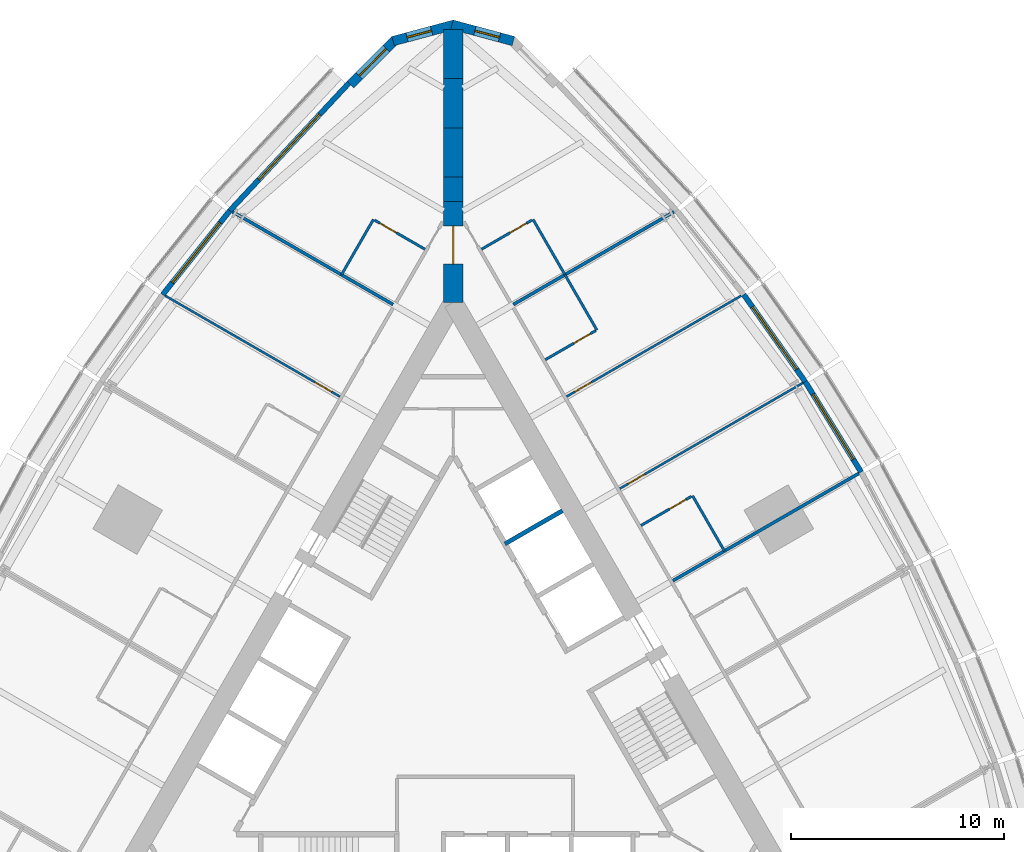
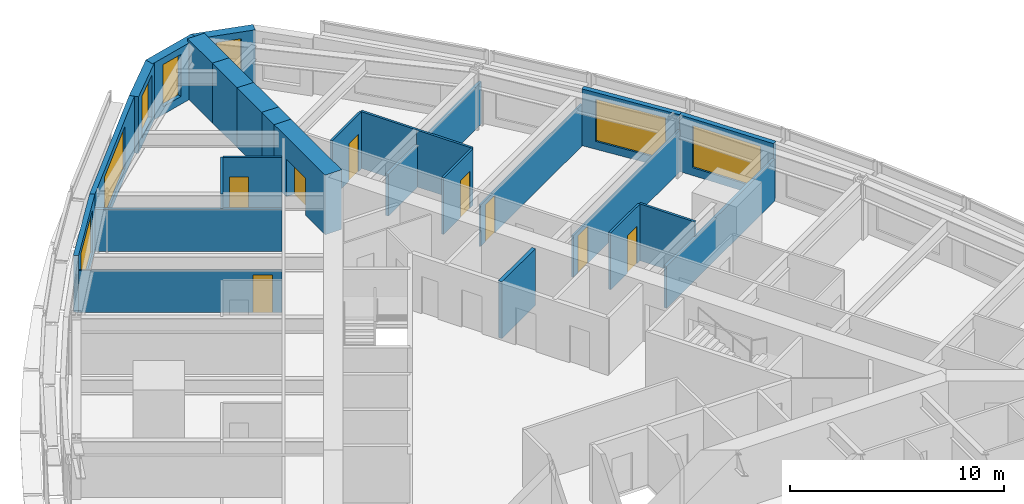
# One storey, part 12 of 14: 27 walls, 8 doors, 7 windows, 15 openings.
"""IFC4 building model written with IfcOpenShell, lengths in metres."""

from ifc_helpers import new_model, si_unit, direction, frame, frame_2d, origin, place, context, subcontext, project, spatial, polyline, rectangle, outline, extrude, material, layer, layer_set, type_object, element, fill, save


model = new_model("IFC4")

# Units and contexts
model_context = context("Model", 3, precision=1e-05, world=origin(), true_north=direction((0.0, 1.0)))
body_context = subcontext(model_context, "Body", "Model", "MODEL_VIEW")
ifc_project = project(units=[si_unit("LENGTHUNIT", "METRE"), si_unit("AREAUNIT", "SQUARE_METRE"), si_unit("VOLUMEUNIT", "CUBIC_METRE"), si_unit("PLANEANGLEUNIT", "RADIAN"), si_unit("MASSUNIT", "GRAM", prefix="KILO")], contexts=[model_context])

# Site, building, storey
site_placement = place(None, origin())
site = spatial("IfcSite", under=ifc_project, at=site_placement, CompositionType="ELEMENT")
building_placement = place(site_placement, origin())
building = spatial("IfcBuilding", under=site, at=building_placement, Name="Trikona Tower", CompositionType="ELEMENT")
storey_placement = place(building_placement, frame((0.0, 0.0, 93.10009765625)))
storey = spatial("IfcBuildingStorey", under=building, at=storey_placement, Name="L24", CompositionType="ELEMENT", Elevation=93.10009765625)

# Wall
ifc_material_1 = material(Name="Metal stud and cement board", Category="gypsum")
ifc_layer_1 = layer(ifc_material_1, 0.1201171875)
ifc_layer_set_1 = layer_set([ifc_layer_1], Name="Bathroom wall 120")
wall_type_1 = type_object("IfcWallType", Name="Bathroom wall 120", PredefinedType="PLUMBINGWALL", material=ifc_layer_set_1)
wall_1_placement = place(storey_placement, frame((12.75341796875, 7.363037109375, 0.0), z_axis=(0.0, 0.0, 1.0), x_axis=(-0.499990139034, 0.866031096941, 0.0)))
element("IfcWall", 1, at=wall_1_placement, inside=storey, type_object=wall_type_1, Name="Bathroom wall 2410.1", PredefinedType="PLUMBINGWALL", context=body_context, shape_type="SweptSolid", body=[
    extrude(rectangle(XDim=3.0, YDim=0.1201171875, at=frame_2d((1.5, 0.0))), origin(), (0.0, 0.0, 1.0), 3.23486328125),
])

# Wall, opening, door
wall_2_placement = place(storey_placement, frame((8.82861328125, 8.561279296875, 0.0), z_axis=(0.0, 0.0, 1.0), x_axis=(0.866035715982, 0.499982138324, 0.0)))
wall_2 = element("IfcWall", 2, at=wall_2_placement, inside=storey, type_object=wall_type_1, Name="Bathroom wall 2410.1", PredefinedType="PLUMBINGWALL", context=body_context, shape_type="SweptSolid", body=[
    extrude(rectangle(XDim=2.73974609375, YDim=0.1201171875, at=frame_2d((1.369873046875, 0.0))), origin(), (0.0, 0.0, 1.0), 3.23486328125),
])
opening_1_placement = place(wall_2_placement, frame((1.550048828125, 0.0, 0.0)))
opening_1 = element("IfcOpeningElement", 3, at=opening_1_placement, cuts=wall_2, Name="Opening D2", PredefinedType="OPENING", context=body_context, shape_type="SweptSolid", body=[
    extrude(rectangle(XDim=0.89990234375, YDim=2.1298828125, at=frame_2d((0.449951171875, 1.06494140625))), frame((0.0, 0.070068359375, 0.0), z_axis=(0.0, -1.0, 0.0), x_axis=(1.0, 0.0, 0.0)), (0.0, 0.0, 1.0), 0.14013671875),
])
ifc_material_2 = material(Name="Steel door frame with solid-core timber leaf", Category="steel")
door_type_1 = type_object("IfcDoorType", Name="Bathroom door 900x2130", OperationType="SLIDING_TO_LEFT", PredefinedType="DOOR", material=ifc_material_2)
door_1_placement = place(opening_1_placement, origin())
door_1 = element("IfcDoor", 4, at=door_1_placement, inside=storey, type_object=door_type_1, Name="Bathroom door 2410.1", OperationType="SLIDING_TO_LEFT", OverallHeight=2.1298828125, OverallWidth=0.89990234375, PredefinedType="DOOR", context=body_context, shape_type="SweptSolid", body=[
    extrude(rectangle(XDim=0.89990234375, YDim=2.1298828125, at=frame_2d((0.449951171875, 1.06494140625))), frame((0.0, 0.02490234375, 0.0), z_axis=(0.0, -1.0, 0.0), x_axis=(1.0, 0.0, 0.0)), (0.0, 0.0, 1.0), 0.050048828125),
])
fill(opening_1, door_1)

# Wall
wall_3_placement = place(storey_placement, frame((6.75341796875, 17.75537109375, 0.0), z_axis=(0.0, 0.0, 1.0), x_axis=(-0.499990139034, 0.866031096941, 0.0)))
element("IfcWall", 5, at=wall_3_placement, inside=storey, type_object=wall_type_1, Name="Bathroom wall 2410.2", PredefinedType="PLUMBINGWALL", context=body_context, shape_type="SweptSolid", body=[
    extrude(rectangle(XDim=3.0, YDim=0.1201171875, at=frame_2d((1.5, 0.0))), origin(), (0.0, 0.0, 1.0), 3.23486328125),
])

# Wall, opening, door
wall_4_placement = place(storey_placement, frame((4.32861328125, 16.35546875, 0.0), z_axis=(0.0, 0.0, 1.0), x_axis=(0.866035715982, 0.499982138324, 0.0)))
wall_4 = element("IfcWall", 6, at=wall_4_placement, inside=storey, type_object=wall_type_1, Name="Bathroom wall 2410.2", PredefinedType="PLUMBINGWALL", context=body_context, shape_type="SweptSolid", body=[
    extrude(rectangle(XDim=2.73974609375, YDim=0.1201171875, at=frame_2d((1.369873046875, 0.0))), origin(), (0.0, 0.0, 1.0), 3.23486328125),
])
opening_2_placement = place(wall_4_placement, frame((1.550048828125, 0.0, 0.0)))
opening_2 = element("IfcOpeningElement", 7, at=opening_2_placement, cuts=wall_4, Name="Opening D2", PredefinedType="OPENING", context=body_context, shape_type="SweptSolid", body=[
    extrude(rectangle(XDim=0.89990234375, YDim=2.1298828125, at=frame_2d((0.449951171875, 1.06494140625))), frame((0.0, 0.070068359375, 0.0), z_axis=(0.0, -1.0, 0.0), x_axis=(1.0, 0.0, 0.0)), (0.0, 0.0, 1.0), 0.14013671875),
])
door_2_placement = place(opening_2_placement, origin())
door_2 = element("IfcDoor", 8, at=door_2_placement, inside=storey, type_object=door_type_1, Name="Bathroom door 2410.2", OperationType="SLIDING_TO_LEFT", OverallHeight=2.1298828125, OverallWidth=0.89990234375, PredefinedType="DOOR", context=body_context, shape_type="SweptSolid", body=[
    extrude(rectangle(XDim=0.89990234375, YDim=2.1298828125, at=frame_2d((0.449951171875, 1.06494140625))), frame((0.0, 0.02490234375, 0.0), z_axis=(0.0, -1.0, 0.0), x_axis=(1.0, 0.0, 0.0)), (0.0, 0.0, 1.0), 0.050048828125),
])
fill(opening_2, door_2)

# Wall
wall_5_placement = place(storey_placement, frame((5.25341796875, 20.353515625, 0.0), z_axis=(0.0, 0.0, 1.0), x_axis=(-0.499990139034, 0.866031096941, 0.0)))
element("IfcWall", 9, at=wall_5_placement, inside=storey, type_object=wall_type_1, Name="Bathroom wall 2411", PredefinedType="PLUMBINGWALL", context=body_context, shape_type="SweptSolid", body=[
    extrude(rectangle(XDim=3.0, YDim=0.1201171875, at=frame_2d((1.5, 0.0))), origin(), (0.0, 0.0, 1.0), 3.23486328125),
])

# Wall, opening, door
wall_6_placement = place(storey_placement, frame((1.32861328125, 21.551513671875, 0.0), z_axis=(0.0, 0.0, 1.0), x_axis=(0.865997131366, 0.500048966069, 0.0)))
wall_6 = element("IfcWall", 10, at=wall_6_placement, inside=storey, type_object=wall_type_1, Name="Bathroom wall 2411", PredefinedType="PLUMBINGWALL", context=body_context, shape_type="SweptSolid", body=[
    extrude(rectangle(XDim=2.739990234375, YDim=0.1201171875, at=frame_2d((1.3701171875, 0.0))), origin(), (0.0, 0.0, 1.0), 3.23486328125),
])
opening_3_placement = place(wall_6_placement, frame((1.550048828125, 0.0, 0.0)))
opening_3 = element("IfcOpeningElement", 11, at=opening_3_placement, cuts=wall_6, Name="Opening D2", PredefinedType="OPENING", context=body_context, shape_type="SweptSolid", body=[
    extrude(rectangle(XDim=0.89990234375, YDim=2.1298828125, at=frame_2d((0.449951171875, 1.06494140625))), frame((0.0, 0.070068359375, 0.0), z_axis=(0.0, -1.0, 0.0), x_axis=(1.0, 0.0, 0.0)), (0.0, 0.0, 1.0), 0.14013671875),
])
door_3_placement = place(opening_3_placement, origin())
door_3 = element("IfcDoor", 12, at=door_3_placement, inside=storey, type_object=door_type_1, Name="Bathroom door 2411", OperationType="SLIDING_TO_LEFT", OverallHeight=2.1298828125, OverallWidth=0.89990234375, PredefinedType="DOOR", context=body_context, shape_type="SweptSolid", body=[
    extrude(rectangle(XDim=0.89990234375, YDim=2.1298828125, at=frame_2d((0.449951171875, 1.06494140625))), frame((0.0, 0.02490234375, 0.0), z_axis=(0.0, -1.0, 0.0), x_axis=(1.0, 0.0, 0.0)), (0.0, 0.0, 1.0), 0.050048828125),
])
fill(opening_3, door_3)

# Wall
wall_7_placement = place(storey_placement, frame((-3.75341796875, 22.95166015625, 0.0), z_axis=(0.0, 0.0, 1.0), x_axis=(-0.499990139034, -0.866031096941, 0.0)))
element("IfcWall", 13, at=wall_7_placement, inside=storey, type_object=wall_type_1, Name="Bathroom wall 2412", PredefinedType="PLUMBINGWALL", context=body_context, shape_type="SweptSolid", body=[
    extrude(rectangle(XDim=3.0, YDim=0.1201171875, at=frame_2d((1.5, 0.0))), origin(), (0.0, 0.0, 1.0), 3.23486328125),
])

# Wall, opening, door
wall_8_placement = place(storey_placement, frame((-1.32861328125, 21.551513671875, 0.0), z_axis=(0.0, 0.0, 1.0), x_axis=(-0.865997131366, 0.500048966069, 0.0)))
wall_8 = element("IfcWall", 14, at=wall_8_placement, inside=storey, type_object=wall_type_1, Name="Bathroom wall 2412", PredefinedType="PLUMBINGWALL", context=body_context, shape_type="SweptSolid", body=[
    extrude(rectangle(XDim=2.739990234375, YDim=0.1201171875, at=frame_2d((1.3701171875, 0.0))), origin(), (0.0, 0.0, 1.0), 3.23486328125),
])
opening_4_placement = place(wall_8_placement, frame((1.550048828125, 0.0, 0.0)))
opening_4 = element("IfcOpeningElement", 15, at=opening_4_placement, cuts=wall_8, Name="Opening D2", PredefinedType="OPENING", context=body_context, shape_type="SweptSolid", body=[
    extrude(rectangle(XDim=0.89990234375, YDim=2.1298828125, at=frame_2d((0.449951171875, 1.06494140625))), frame((0.0, 0.070068359375, 0.0), z_axis=(0.0, -1.0, 0.0), x_axis=(1.0, 0.0, 0.0)), (0.0, 0.0, 1.0), 0.14013671875),
])
door_4_placement = place(opening_4_placement, origin())
door_4 = element("IfcDoor", 16, at=door_4_placement, inside=storey, type_object=door_type_1, Name="Bathroom door 2412", OperationType="SLIDING_TO_LEFT", OverallHeight=2.1298828125, OverallWidth=0.89990234375, PredefinedType="DOOR", context=body_context, shape_type="SweptSolid", body=[
    extrude(rectangle(XDim=0.89990234375, YDim=2.1298828125, at=frame_2d((0.449951171875, 1.06494140625))), frame((0.0, 0.02490234375, 0.0), z_axis=(0.0, -1.0, 0.0), x_axis=(1.0, 0.0, 0.0)), (0.0, 0.0, 1.0), 0.050048828125),
])
fill(opening_4, door_4)

# Wall, opening, window
ifc_material_3 = material(Name="Brick-faced precast concrete", Category="masonry")
ifc_layer_2 = layer(ifc_material_3, 0.449951171875)
ifc_layer_set_2 = layer_set([ifc_layer_2], Name="Brick-faced corner wall 450")
wall_type_2 = type_object("IfcWallType", Name="Brick-faced corner wall 450", PredefinedType="SOLIDWALL", material=ifc_layer_set_2)
wall_9_placement = place(storey_placement, frame((2.82861328125, 31.3408203125, 0.0), z_axis=(0.0, 0.0, 1.0), x_axis=(-0.965930548995, 0.258801419081, 0.0)))
wall_9 = element("IfcWall", 17, at=wall_9_placement, inside=storey, type_object=wall_type_2, Name="External wall L24-21", PredefinedType="SOLIDWALL", context=body_context, shape_type="SweptSolid", body=[
    extrude(outline(polyline([(2.988525390625, 0.22509765625), (2.92919921875, 0.22509765625), (2.4375, 0.09326171875), (2.40234375, 0.22509765625), (0.0, 0.22509765625), (0.0, -0.22509765625), (2.988525390625, -0.22509765625), (2.988525390625, 0.22509765625)])), origin(), (0.0, 0.0, 1.0), 3.23486328125),
])
opening_5_placement = place(wall_9_placement, frame((0.676025390625, 0.0, 0.449951171875)))
opening_5 = element("IfcOpeningElement", 18, at=opening_5_placement, cuts=wall_9, Name="Opening W1224", PredefinedType="OPENING", context=body_context, shape_type="SweptSolid", body=[
    extrude(rectangle(XDim=1.199951171875, YDim=2.39990234375, at=frame_2d((0.60009765625, 1.199951171875))), frame((0.0, 0.23486328125, 0.0), z_axis=(0.0, -1.0, 0.0), x_axis=(1.0, 0.0, 0.0)), (0.0, 0.0, 1.0), 0.469970703125),
])
ifc_material_4 = material(Name="Aluminium-framed double glazing", Category="aluminium")
window_type_1 = type_object("IfcWindowType", Name="Window 1200x2400", PartitioningType="SINGLE_PANEL", PredefinedType="WINDOW", material=ifc_material_4)
window_1_placement = place(opening_5_placement, origin())
window_1 = element("IfcWindow", 19, at=window_1_placement, inside=storey, type_object=window_type_1, Name="Window 2411", OverallHeight=2.39990234375, OverallWidth=1.199951171875, PartitioningType="SINGLE_PANEL", PredefinedType="WINDOW", context=body_context, shape_type="SweptSolid", body=[
    extrude(rectangle(XDim=1.199951171875, YDim=2.39990234375, at=frame_2d((0.60009765625, 1.199951171875))), frame((0.0, 0.030029296875, 0.0), z_axis=(0.0, -1.0, 0.0), x_axis=(1.0, 0.0, 0.0)), (0.0, 0.0, 1.0), 0.06005859375),
])
fill(opening_5, window_1)

wall_10_placement = place(storey_placement, frame((0.05810546875, 32.1142578125, 0.0), z_axis=(0.0, 0.0, 1.0), x_axis=(-0.965930548995, -0.258801419081, 0.0)))
wall_10 = element("IfcWall", 20, at=wall_10_placement, inside=storey, type_object=wall_type_2, Name="External wall L24-22", PredefinedType="SOLIDWALL", context=body_context, shape_type="SweptSolid", body=[
    extrude(outline(polyline([(2.988525390625, 0.22509765625), (0.58642578125, 0.22509765625), (0.551025390625, 0.09326171875), (0.059326171875, 0.22509765625), (0.0, 0.22509765625), (0.0, -0.22509765625), (2.988525390625, -0.22509765625), (2.988525390625, 0.22509765625)])), origin(), (0.0, 0.0, 1.0), 3.23486328125),
])
opening_6_placement = place(wall_10_placement, frame((1.112548828125, 0.0, 0.449951171875)))
opening_6 = element("IfcOpeningElement", 21, at=opening_6_placement, cuts=wall_10, Name="Opening W1224", PredefinedType="OPENING", context=body_context, shape_type="SweptSolid", body=[
    extrude(rectangle(XDim=1.199951171875, YDim=2.39990234375, at=frame_2d((0.60009765625, 1.199951171875))), frame((0.0, 0.23486328125, 0.0), z_axis=(0.0, -1.0, 0.0), x_axis=(1.0, 0.0, 0.0)), (0.0, 0.0, 1.0), 0.469970703125),
])
window_2_placement = place(opening_6_placement, origin())
window_2 = element("IfcWindow", 22, at=window_2_placement, inside=storey, type_object=window_type_1, Name="Window 2412", OverallHeight=2.39990234375, OverallWidth=1.199951171875, PartitioningType="SINGLE_PANEL", PredefinedType="WINDOW", context=body_context, shape_type="SweptSolid", body=[
    extrude(rectangle(XDim=1.199951171875, YDim=2.39990234375, at=frame_2d((0.60009765625, 1.199951171875))), frame((0.0, 0.030029296875, 0.0), z_axis=(0.0, -1.0, 0.0), x_axis=(1.0, 0.0, 0.0)), (0.0, 0.0, 1.0), 0.06005859375),
])
fill(opening_6, window_2)

wall_11_placement = place(storey_placement, frame((-2.727783203125, 31.39892578125, 0.0), z_axis=(0.0, 0.0, 1.0), x_axis=(-0.707106781187, -0.707106781187, 0.0)))
wall_11 = element("IfcWall", 23, at=wall_11_placement, inside=storey, type_object=wall_type_2, Name="External wall L24-23", PredefinedType="SOLIDWALL", context=body_context, shape_type="SweptSolid", body=[
    extrude(rectangle(XDim=2.98828125, YDim=0.449951171875, at=frame_2d((1.494140625, 0.0))), origin(), (0.0, 0.0, 1.0), 3.23486328125),
])
opening_7_placement = place(wall_11_placement, frame((0.59423828125, 0.0, 0.449951171875)))
opening_7 = element("IfcOpeningElement", 24, at=opening_7_placement, cuts=wall_11, Name="Opening W1824", PredefinedType="OPENING", context=body_context, shape_type="SweptSolid", body=[
    extrude(rectangle(XDim=1.800048828125, YDim=2.39990234375, at=frame_2d((0.89990234375, 1.199951171875))), frame((0.0, 0.23486328125, 0.0), z_axis=(0.0, -1.0, 0.0), x_axis=(1.0, 0.0, 0.0)), (0.0, 0.0, 1.0), 0.469970703125),
])
ifc_material_5 = material(Name="Aluminium-framed double glazing", Category="aluminium")
window_type_2 = type_object("IfcWindowType", Name="Window 1800x2400", PartitioningType="SINGLE_PANEL", PredefinedType="WINDOW", material=ifc_material_5)
window_3_placement = place(opening_7_placement, origin())
window_3 = element("IfcWindow", 25, at=window_3_placement, inside=storey, type_object=window_type_2, Name="Window 2412", OverallHeight=2.39990234375, OverallWidth=1.800048828125, PartitioningType="SINGLE_PANEL", PredefinedType="WINDOW", context=body_context, shape_type="SweptSolid", body=[
    extrude(rectangle(XDim=1.800048828125, YDim=2.39990234375, at=frame_2d((0.89990234375, 1.199951171875))), frame((0.0, 0.030029296875, 0.0), z_axis=(0.0, -1.0, 0.0), x_axis=(1.0, 0.0, 0.0)), (0.0, 0.0, 1.0), 0.06005859375),
])
fill(opening_7, window_3)

# Wall, opening, door
ifc_material_6 = material(Name="Concrete f'c 10000 psi", Category="concrete")
ifc_layer_3 = layer(ifc_material_6, 0.89990234375)
ifc_layer_set_3 = layer_set([ifc_layer_3], Name="Buttress wall 900")
wall_type_3 = type_object("IfcWallType", Name="Buttress wall 900", PredefinedType="SHEAR", material=ifc_layer_set_3)
wall_12_placement = place(storey_placement, frame((0.0, 19.052490234375, 0.0), z_axis=(0.0, 0.0, 1.0), x_axis=(0.0, 1.0, 0.0)))
wall_12 = element("IfcWall", 26, at=wall_12_placement, inside=storey, type_object=wall_type_3, Name="Buttress wall 2", PredefinedType="SHEAR", context=body_context, shape_type="SweptSolid", body=[
    extrude(rectangle(XDim=4.74609375, YDim=0.89990234375, at=frame_2d((2.373046875, 0.0))), origin(), (0.0, 0.0, 1.0), 3.39990234375),
])
opening_8_placement = place(wall_12_placement, frame((1.800048828125, 0.0, 0.0)))
opening_8 = element("IfcOpeningElement", 27, at=opening_8_placement, cuts=wall_12, Name="Opening D10", PredefinedType="OPENING", context=body_context, shape_type="SweptSolid", body=[
    extrude(rectangle(XDim=1.800048828125, YDim=2.1298828125, at=frame_2d((0.89990234375, 1.06494140625))), frame((0.0, 0.4599609375, 0.0), z_axis=(0.0, -1.0, 0.0), x_axis=(1.0, 0.0, 0.0)), (0.0, 0.0, 1.0), 0.919921875),
])
ifc_material_7 = material(Name="Hollow metal door and frame", Category="steel")
door_type_2 = type_object("IfcDoorType", Name="Cross-corridor door pair 1800x2130", OperationType="DOUBLE_DOOR_DOUBLE_SWING", PredefinedType="DOOR", material=ifc_material_7)
door_5_placement = place(opening_8_placement, origin())
door_5 = element("IfcDoor", 28, at=door_5_placement, inside=storey, type_object=door_type_2, Name="Cross-corridor door 2", OperationType="DOUBLE_DOOR_DOUBLE_SWING", OverallHeight=2.1298828125, OverallWidth=1.800048828125, PredefinedType="DOOR", context=body_context, shape_type="SweptSolid", body=[
    extrude(rectangle(XDim=1.800048828125, YDim=2.1298828125, at=frame_2d((0.89990234375, 1.06494140625))), frame((0.0, 0.02490234375, 0.0), z_axis=(0.0, -1.0, 0.0), x_axis=(1.0, 0.0, 0.0)), (0.0, 0.0, 1.0), 0.050048828125),
])
fill(opening_8, door_5)

# Walls
wall_13_placement = place(storey_placement, frame((0.0, 23.798583984375, 0.0), z_axis=(0.0, 0.0, 1.0), x_axis=(0.0, 1.0, 0.0)))
element("IfcWall", 29, at=wall_13_placement, inside=storey, type_object=wall_type_3, Name="Buttress wall 2 part 2", PredefinedType="SHEAR", context=body_context, shape_type="SweptSolid", body=[
    extrude(rectangle(XDim=1.15478515625, YDim=0.89990234375, at=frame_2d((0.577392578125, 0.0))), origin(), (0.0, 0.0, 1.0), 3.39990234375),
])
wall_14_placement = place(storey_placement, frame((0.0, 24.953369140625, 0.0), z_axis=(0.0, 0.0, 1.0), x_axis=(0.0, 1.0, 0.0)))
element("IfcWall", 30, at=wall_14_placement, inside=storey, type_object=wall_type_3, Name="Buttress wall 2 part 3", PredefinedType="SHEAR", context=body_context, shape_type="SweptSolid", body=[
    extrude(rectangle(XDim=2.309326171875, YDim=0.89990234375, at=frame_2d((1.15478515625, 0.0))), origin(), (0.0, 0.0, 1.0), 3.39990234375),
])
wall_15_placement = place(storey_placement, frame((0.0, 27.2626953125, 0.0), z_axis=(0.0, 0.0, 1.0), x_axis=(0.0, 1.0, 0.0)))
element("IfcWall", 31, at=wall_15_placement, inside=storey, type_object=wall_type_3, Name="Buttress wall 2 part 4", PredefinedType="SHEAR", context=body_context, shape_type="SweptSolid", body=[
    extrude(rectangle(XDim=2.3095703125, YDim=0.89990234375, at=frame_2d((1.15478515625, 0.0))), origin(), (0.0, 0.0, 1.0), 3.39990234375),
])
wall_16_placement = place(storey_placement, frame((0.0, 29.572265625, 0.0), z_axis=(0.0, 0.0, 1.0), x_axis=(0.0, 1.0, 0.0)))
element("IfcWall", 32, at=wall_16_placement, inside=storey, type_object=wall_type_3, Name="Buttress wall 2 part 5", PredefinedType="SHEAR", context=body_context, shape_type="SweptSolid", body=[
    extrude(rectangle(XDim=2.309326171875, YDim=0.89990234375, at=frame_2d((1.15478515625, 0.0))), origin(), (0.0, 0.0, 1.0), 3.39990234375),
])

# Wall, opening, window
ifc_material_8 = material(Name="Insulated precast concrete spandrel panel", Category="concrete")
ifc_layer_4 = layer(ifc_material_8, 0.25)
ifc_layer_set_4 = layer_set([ifc_layer_4], Name="Inner skin wall 250")
wall_type_4 = type_object("IfcWallType", Name="Inner skin wall 250", PredefinedType="STANDARD", material=ifc_layer_set_4)
wall_17_placement = place(storey_placement, frame((19.182373046875, 11.070556640625, 0.0), z_axis=(0.0, 0.0, 1.0), x_axis=(-0.526132807704, 0.850402415717, 0.0)))
wall_17 = element("IfcWall", 33, at=wall_17_placement, inside=storey, type_object=wall_type_4, Name="External wall L24-16", PredefinedType="STANDARD", context=body_context, shape_type="SweptSolid", body=[
    extrude(rectangle(XDim=5.002197265625, YDim=0.25, at=frame_2d((2.5009765625, 0.0))), origin(), (0.0, 0.0, 1.0), 3.23486328125),
])
opening_9_placement = place(wall_17_placement, frame((0.701171875, 0.0, 0.449951171875)))
opening_9 = element("IfcOpeningElement", 34, at=opening_9_placement, cuts=wall_17, Name="Opening W3624", PredefinedType="OPENING", context=body_context, shape_type="SweptSolid", body=[
    extrude(rectangle(XDim=3.60009765625, YDim=2.39990234375, at=frame_2d((1.800048828125, 1.199951171875))), frame((0.0, 0.135009765625, 0.0), z_axis=(0.0, -1.0, 0.0), x_axis=(1.0, 0.0, 0.0)), (0.0, 0.0, 1.0), 0.27001953125),
])
ifc_material_9 = material(Name="Aluminium-framed double glazing", Category="aluminium")
window_type_3 = type_object("IfcWindowType", Name="Window 3600x2400", PartitioningType="SINGLE_PANEL", PredefinedType="WINDOW", material=ifc_material_9)
window_4_placement = place(opening_9_placement, origin())
window_4 = element("IfcWindow", 35, at=window_4_placement, inside=storey, type_object=window_type_3, Name="Window 2410.1", OverallHeight=2.39990234375, OverallWidth=3.60009765625, PartitioningType="SINGLE_PANEL", PredefinedType="WINDOW", context=body_context, shape_type="SweptSolid", body=[
    extrude(rectangle(XDim=3.60009765625, YDim=2.39990234375, at=frame_2d((1.800048828125, 1.199951171875))), frame((0.0, 0.030029296875, 0.0), z_axis=(0.0, -1.0, 0.0), x_axis=(1.0, 0.0, 0.0)), (0.0, 0.0, 1.0), 0.06005859375),
])
fill(opening_9, window_4)

wall_18_placement = place(storey_placement, frame((16.5546875, 15.318115234375, 0.0), z_axis=(0.0, 0.0, 1.0), x_axis=(-0.5766431066, 0.81699616132, 0.0)))
wall_18 = element("IfcWall", 36, at=wall_18_placement, inside=storey, type_object=wall_type_4, Name="External wall L24-17", PredefinedType="STANDARD", context=body_context, shape_type="SweptSolid", body=[
    extrude(rectangle(XDim=5.02099609375, YDim=0.25, at=frame_2d((2.510498046875, 0.0))), origin(), (0.0, 0.0, 1.0), 3.23486328125),
])
opening_10_placement = place(wall_18_placement, frame((0.71044921875, 0.0, 0.449951171875)))
opening_10 = element("IfcOpeningElement", 37, at=opening_10_placement, cuts=wall_18, Name="Opening W3624", PredefinedType="OPENING", context=body_context, shape_type="SweptSolid", body=[
    extrude(rectangle(XDim=3.60009765625, YDim=2.39990234375, at=frame_2d((1.800048828125, 1.199951171875))), frame((0.0, 0.135009765625, 0.0), z_axis=(0.0, -1.0, 0.0), x_axis=(1.0, 0.0, 0.0)), (0.0, 0.0, 1.0), 0.27001953125),
])
window_5_placement = place(opening_10_placement, origin())
window_5 = element("IfcWindow", 38, at=window_5_placement, inside=storey, type_object=window_type_3, Name="Window 2410", OverallHeight=2.39990234375, OverallWidth=3.60009765625, PartitioningType="SINGLE_PANEL", PredefinedType="WINDOW", context=body_context, shape_type="SweptSolid", body=[
    extrude(rectangle(XDim=3.60009765625, YDim=2.39990234375, at=frame_2d((1.800048828125, 1.199951171875))), frame((0.0, 0.030029296875, 0.0), z_axis=(0.0, -1.0, 0.0), x_axis=(1.0, 0.0, 0.0)), (0.0, 0.0, 1.0), 0.06005859375),
])
fill(opening_10, window_5)

wall_19_placement = place(storey_placement, frame((-4.90869140625, 29.359619140625, 0.0), z_axis=(0.0, 0.0, 1.0), x_axis=(-0.682289646561, -0.731081964075, 0.0)))
wall_19 = element("IfcWall", 39, at=wall_19_placement, inside=storey, type_object=wall_type_4, Name="External wall L24-24", PredefinedType="STANDARD", context=body_context, shape_type="SweptSolid", body=[
    extrude(rectangle(XDim=8.2109375, YDim=0.25, at=frame_2d((4.10546875, 0.0))), origin(), (0.0, 0.0, 1.0), 3.23486328125),
])
opening_11_placement = place(wall_19_placement, frame((2.005615234375, 0.0, 0.449951171875)))
opening_11 = element("IfcOpeningElement", 40, at=opening_11_placement, cuts=wall_19, Name="Opening W4224", PredefinedType="OPENING", context=body_context, shape_type="SweptSolid", body=[
    extrude(rectangle(XDim=4.199951171875, YDim=2.39990234375, at=frame_2d((2.10009765625, 1.199951171875))), frame((0.0, 0.135009765625, 0.0), z_axis=(0.0, -1.0, 0.0), x_axis=(1.0, 0.0, 0.0)), (0.0, 0.0, 1.0), 0.27001953125),
])
ifc_material_10 = material(Name="Aluminium-framed double glazing", Category="aluminium")
window_type_4 = type_object("IfcWindowType", Name="Window 4200x2400", PartitioningType="SINGLE_PANEL", PredefinedType="WINDOW", material=ifc_material_10)
window_6_placement = place(opening_11_placement, origin())
window_6 = element("IfcWindow", 41, at=window_6_placement, inside=storey, type_object=window_type_4, Name="Window 2412", OverallHeight=2.39990234375, OverallWidth=4.199951171875, PartitioningType="SINGLE_PANEL", PredefinedType="WINDOW", context=body_context, shape_type="SweptSolid", body=[
    extrude(rectangle(XDim=4.199951171875, YDim=2.39990234375, at=frame_2d((2.10009765625, 1.199951171875))), frame((0.0, 0.030029296875, 0.0), z_axis=(0.0, -1.0, 0.0), x_axis=(1.0, 0.0, 0.0)), (0.0, 0.0, 1.0), 0.06005859375),
])
fill(opening_11, window_6)

wall_20_placement = place(storey_placement, frame((-10.5048828125, 23.36376953125, 0.0), z_axis=(0.0, 0.0, 1.0), x_axis=(-0.624594965756, -0.780948864364, 0.0)))
wall_20 = element("IfcWall", 42, at=wall_20_placement, inside=storey, type_object=wall_type_4, Name="External wall L24-25", PredefinedType="STANDARD", context=body_context, shape_type="SweptSolid", body=[
    extrude(rectangle(XDim=5.0576171875, YDim=0.25, at=frame_2d((2.52880859375, 0.0))), origin(), (0.0, 0.0, 1.0), 3.23486328125),
])
opening_12_placement = place(wall_20_placement, frame((0.728759765625, 0.0, 0.449951171875)))
opening_12 = element("IfcOpeningElement", 43, at=opening_12_placement, cuts=wall_20, Name="Opening W3624", PredefinedType="OPENING", context=body_context, shape_type="SweptSolid", body=[
    extrude(rectangle(XDim=3.60009765625, YDim=2.39990234375, at=frame_2d((1.800048828125, 1.199951171875))), frame((0.0, 0.135009765625, 0.0), z_axis=(0.0, -1.0, 0.0), x_axis=(1.0, 0.0, 0.0)), (0.0, 0.0, 1.0), 0.27001953125),
])
window_7_placement = place(opening_12_placement, origin())
window_7 = element("IfcWindow", 44, at=window_7_placement, inside=storey, type_object=window_type_3, Name="Window 2413", OverallHeight=2.39990234375, OverallWidth=3.60009765625, PartitioningType="SINGLE_PANEL", PredefinedType="WINDOW", context=body_context, shape_type="SweptSolid", body=[
    extrude(rectangle(XDim=3.60009765625, YDim=2.39990234375, at=frame_2d((1.800048828125, 1.199951171875))), frame((0.0, 0.030029296875, 0.0), z_axis=(0.0, -1.0, 0.0), x_axis=(1.0, 0.0, 0.0)), (0.0, 0.0, 1.0), 0.06005859375),
])
fill(opening_12, window_7)

# Walls
ifc_material_11 = material(Name="Metal stud and gypsum board, 1-hour acoustic", Category="gypsum")
ifc_layer_5 = layer(ifc_material_11, 0.14990234375)
ifc_layer_set_5 = layer_set([ifc_layer_5], Name="Party wall 150")
wall_type_5 = type_object("IfcWallType", Name="Party wall 150", PredefinedType="PARTITIONING", material=ifc_layer_set_5)
wall_21_placement = place(storey_placement, frame((10.32861328125, 5.963134765625, 0.0), z_axis=(0.0, 0.0, 1.0), x_axis=(0.866021688545, 0.500006434927, 0.0)))
element("IfcWall", 45, at=wall_21_placement, inside=storey, type_object=wall_type_5, Name="Partition L24 F2 u0", PredefinedType="PARTITIONING", context=body_context, shape_type="SweptSolid", body=[
    extrude(rectangle(XDim=10.095947265625, YDim=0.14990234375, at=frame_2d((5.0478515625, 0.0))), origin(), (0.0, 0.0, 1.0), 2.38916015625),
])
for number, where, z_axis, x_axis, name in (
    (46, (2.82861328125, 18.95361328125, 0.0), (0.0, 0.0, 1.0), (0.866020536561, 0.500008430184, 0.0), "Partition L24 F2 u15"),
    (47, (-2.82861328125, 18.95361328125, 0.0), (0.0, 0.0, 1.0), (-0.866020536561, 0.500008430184, 0.0), "Partition L24 F3 u-15"),
):
    element("IfcWall", number, at=place(storey_placement, frame(where, z_axis=z_axis, x_axis=x_axis)), inside=storey, type_object=wall_type_5, Name=name, PredefinedType="PARTITIONING", context=body_context, shape_type="SweptSolid", body=[
        extrude(rectangle(XDim=8.719970703125, YDim=0.14990234375, at=frame_2d((4.35986328125, 0.0))), origin(), (0.0, 0.0, 1.0), 2.38916015625),
    ])
ifc_material_12 = material(Name="Concrete f'c 8000 psi", Category="concrete")
ifc_layer_6 = layer(ifc_material_12, 0.199951171875)
ifc_layer_set_6 = layer_set([ifc_layer_6], Name="Shaft wall 200")
wall_type_6 = type_object("IfcWallType", Name="Shaft wall 200", PredefinedType="SOLIDWALL", material=ifc_layer_set_6)
wall_22_placement = place(storey_placement, frame((2.428955078125, 7.695556640625, 0.0), z_axis=(0.0, 0.0, 1.0), x_axis=(0.866022959057, 0.500004234368, 0.0)))
element("IfcWall", 48, at=wall_22_placement, inside=storey, type_object=wall_type_6, Name="Shaft wall B5", PredefinedType="SOLIDWALL", context=body_context, shape_type="SweptSolid", body=[
    extrude(rectangle(XDim=3.125, YDim=0.199951171875, at=frame_2d((1.5625, 0.0))), origin(), (0.0, 0.0, 1.0), 3.23486328125),
])

# Wall, opening, door
ifc_material_13 = material(Name="Metal stud and gypsum board, acoustic", Category="gypsum")
ifc_layer_7 = layer(ifc_material_13, 0.10009765625)
ifc_layer_set_7 = layer_set([ifc_layer_7], Name="Suite partition 100")
wall_type_7 = type_object("IfcWallType", Name="Suite partition 100", PredefinedType="PARTITIONING", material=ifc_layer_set_7)
wall_23_placement = place(storey_placement, frame((7.82861328125, 10.293212890625, 0.0), z_axis=(0.0, 0.0, 1.0), x_axis=(0.866016302457, 0.50001576363, 0.0)))
wall_23 = element("IfcWall", 49, at=wall_23_placement, inside=storey, type_object=wall_type_7, Name="Suite partition L24 F2 u5", PredefinedType="PARTITIONING", context=body_context, shape_type="SweptSolid", body=[
    extrude(rectangle(XDim=9.943115234375, YDim=0.10009765625, at=frame_2d((4.9716796875, 0.0))), origin(), (0.0, 0.0, 1.0), 2.38916015625),
])
opening_13_placement = place(wall_23_placement, frame((0.449951171875, 0.0, 0.0)))
opening_13 = element("IfcOpeningElement", 50, at=opening_13_placement, cuts=wall_23, Name="Opening D13", PredefinedType="OPENING", context=body_context, shape_type="SweptSolid", body=[
    extrude(rectangle(XDim=0.89990234375, YDim=2.1298828125, at=frame_2d((0.449951171875, 1.06494140625))), frame((0.0, 0.06005859375, 0.0), z_axis=(0.0, -1.0, 0.0), x_axis=(1.0, 0.0, 0.0)), (0.0, 0.0, 1.0), 0.1201171875),
])
ifc_material_14 = material(Name="Steel door frame with solid-core timber leaf", Category="steel")
door_type_3 = type_object("IfcDoorType", Name="Suite door 900x2130", OperationType="SINGLE_SWING_LEFT", PredefinedType="DOOR", material=ifc_material_14)
door_6_placement = place(opening_13_placement, origin())
door_6 = element("IfcDoor", 51, at=door_6_placement, inside=storey, type_object=door_type_3, Name="Suite door 2410", OperationType="SINGLE_SWING_LEFT", OverallHeight=2.1298828125, OverallWidth=0.89990234375, PredefinedType="DOOR", context=body_context, shape_type="SweptSolid", body=[
    extrude(rectangle(XDim=0.89990234375, YDim=2.1298828125, at=frame_2d((0.449951171875, 1.06494140625))), frame((0.0, 0.02490234375, 0.0), z_axis=(0.0, -1.0, 0.0), x_axis=(1.0, 0.0, 0.0)), (0.0, 0.0, 1.0), 0.050048828125),
])
fill(opening_13, door_6)

wall_24_placement = place(storey_placement, frame((5.32861328125, 14.623291015625, 0.0), z_axis=(0.0, 0.0, 1.0), x_axis=(0.866018409083, 0.500012114982, 0.0)))
wall_24 = element("IfcWall", 52, at=wall_24_placement, inside=storey, type_object=wall_type_7, Name="Suite partition L24 F2 u10", PredefinedType="PARTITIONING", context=body_context, shape_type="SweptSolid", body=[
    extrude(rectangle(XDim=9.484619140625, YDim=0.10009765625, at=frame_2d((4.7421875, 0.0))), origin(), (0.0, 0.0, 1.0), 2.38916015625),
])
opening_14_placement = place(wall_24_placement, frame((0.449951171875, 0.0, 0.0)))
opening_14 = element("IfcOpeningElement", 53, at=opening_14_placement, cuts=wall_24, Name="Opening D13", PredefinedType="OPENING", context=body_context, shape_type="SweptSolid", body=[
    extrude(rectangle(XDim=0.89990234375, YDim=2.1298828125, at=frame_2d((0.449951171875, 1.06494140625))), frame((0.0, 0.06005859375, 0.0), z_axis=(0.0, -1.0, 0.0), x_axis=(1.0, 0.0, 0.0)), (0.0, 0.0, 1.0), 0.1201171875),
])
door_7_placement = place(opening_14_placement, origin())
door_7 = element("IfcDoor", 54, at=door_7_placement, inside=storey, type_object=door_type_3, Name="Suite door 2410", OperationType="SINGLE_SWING_LEFT", OverallHeight=2.1298828125, OverallWidth=0.89990234375, PredefinedType="DOOR", context=body_context, shape_type="SweptSolid", body=[
    extrude(rectangle(XDim=0.89990234375, YDim=2.1298828125, at=frame_2d((0.449951171875, 1.06494140625))), frame((0.0, 0.02490234375, 0.0), z_axis=(0.0, -1.0, 0.0), x_axis=(1.0, 0.0, 0.0)), (0.0, 0.0, 1.0), 0.050048828125),
])
fill(opening_14, door_7)

wall_25_placement = place(storey_placement, frame((-5.32861328125, 14.623291015625, 0.0), z_axis=(0.0, 0.0, 1.0), x_axis=(-0.866018409083, 0.500012114982, 0.0)))
wall_25 = element("IfcWall", 55, at=wall_25_placement, inside=storey, type_object=wall_type_7, Name="Suite partition L24 F3 u-10", PredefinedType="PARTITIONING", context=body_context, shape_type="SweptSolid", body=[
    extrude(rectangle(XDim=9.484619140625, YDim=0.10009765625, at=frame_2d((4.7421875, 0.0))), origin(), (0.0, 0.0, 1.0), 2.38916015625),
])
opening_15_placement = place(wall_25_placement, frame((0.449951171875, 0.0, 0.0)))
opening_15 = element("IfcOpeningElement", 56, at=opening_15_placement, cuts=wall_25, Name="Opening D13", PredefinedType="OPENING", context=body_context, shape_type="SweptSolid", body=[
    extrude(rectangle(XDim=0.89990234375, YDim=2.1298828125, at=frame_2d((0.449951171875, 1.06494140625))), frame((0.0, 0.06005859375, 0.0), z_axis=(0.0, -1.0, 0.0), x_axis=(1.0, 0.0, 0.0)), (0.0, 0.0, 1.0), 0.1201171875),
])
door_8_placement = place(opening_15_placement, origin())
door_8 = element("IfcDoor", 57, at=door_8_placement, inside=storey, type_object=door_type_3, Name="Suite door 2413", OperationType="SINGLE_SWING_LEFT", OverallHeight=2.1298828125, OverallWidth=0.89990234375, PredefinedType="DOOR", context=body_context, shape_type="SweptSolid", body=[
    extrude(rectangle(XDim=0.89990234375, YDim=2.1298828125, at=frame_2d((0.449951171875, 1.06494140625))), frame((0.0, 0.02490234375, 0.0), z_axis=(0.0, -1.0, 0.0), x_axis=(1.0, 0.0, 0.0)), (0.0, 0.0, 1.0), 0.050048828125),
])
fill(opening_15, door_8)

save(model, "model.ifc")
